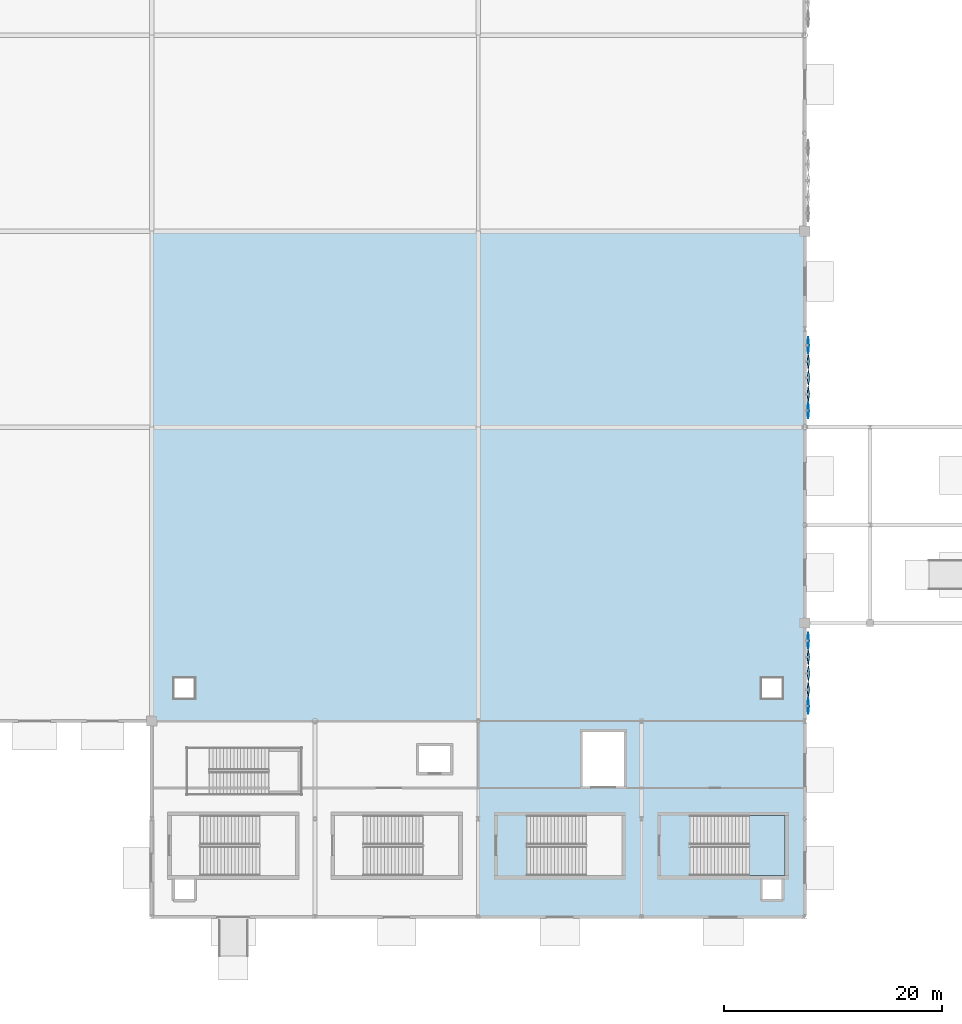
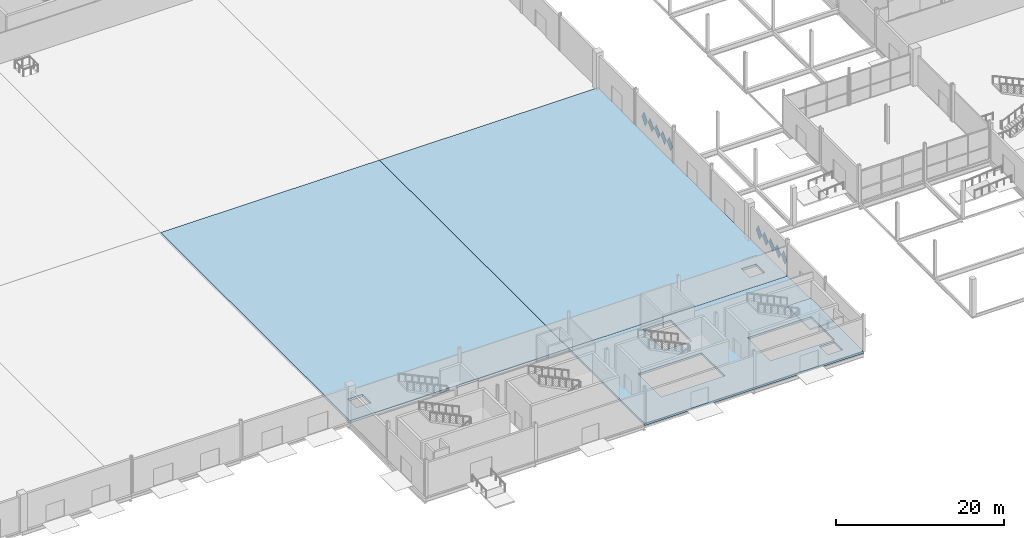
# One storey, part 44 of 94: 10 plates, 4 slabs, 1 element without a shape of its own.
"""IFC4 building model written with IfcOpenShell, lengths in metres."""

from ifc_helpers import new_model, si_unit, direction, frame, origin, place, context, subcontext, project, spatial, polyline, outline, extrude, material, layer, layer_set, type_object, element, aggregate, save


model = new_model("IFC4")

# Units and contexts
model_context = context("Model", 3, precision=1e-05, world=origin(), true_north=direction((0.0, 1.0)))
body_context = subcontext(model_context, "Body", "Model", "MODEL_VIEW")
ifc_project = project(units=[si_unit("LENGTHUNIT", "METRE"), si_unit("AREAUNIT", "SQUARE_METRE"), si_unit("VOLUMEUNIT", "CUBIC_METRE"), si_unit("PLANEANGLEUNIT", "RADIAN"), si_unit("MASSUNIT", "GRAM", prefix="KILO")], contexts=[model_context])

# Site, building, storey
site_placement = place(None, origin())
site = spatial("IfcSite", under=ifc_project, at=site_placement, CompositionType="ELEMENT")
building_placement = place(site_placement, origin())
building = spatial("IfcBuilding", under=site, at=building_placement, Name="Qamarlyn Nura Convention Centre", CompositionType="ELEMENT")
storey_placement = place(building_placement, origin())
storey = spatial("IfcBuildingStorey", under=building, at=storey_placement, Name="L00", CompositionType="ELEMENT", Elevation=0.0)

# Plates
ifc_material_1 = material(Name="White high-albedo PVDF aluminium composite sheet", Category="aluminium")
ifc_layer_1 = layer(ifc_material_1, 0.02392578125, Name="FP-DIAM-03")
ifc_layer_set_1 = layer_set([ifc_layer_1], Name="White high-albedo PVDF aluminium composite sheet")
plate_type_1 = type_object("IfcPlateType", Name="FP-DIAM-03", PredefinedType="SHEET", material=ifc_layer_set_1)
for number, where, z_axis, x_axis, name in (
    (1, (120.31005859375, 25.36865234375, 1.699951171875), (0.998059468659, 0.0, 0.062267945373), (0.0, 1.0, 0.0), "L00 pivoted white diamond facade tile 0022"),
    (2, (120.31005859375, 19.36865234375, 1.699951171875), (0.998059468659, 0.0, 0.062267945373), (0.0, 1.0, 0.0), "L00 pivoted white diamond facade tile 0026"),
    (3, (120.31005859375, 52.520751953125, 1.699951171875), (0.998059468659, 0.0, 0.062267945373), (0.0, 1.0, 0.0), "L00 pivoted white diamond facade tile 0027"),
    (4, (120.31005859375, 46.520751953125, 1.699951171875), (0.998059468659, 0.0, 0.062267945373), (0.0, 1.0, 0.0), "L00 pivoted white diamond facade tile 0031"),
):
    element("IfcPlate", number, at=place(storey_placement, frame(where, z_axis=z_axis, x_axis=x_axis)), inside=storey, type_object=plate_type_1, Name=name, PredefinedType="SHEET", context=body_context, shape_type="SweptSolid", body=[
        extrude(outline(polyline([(-0.719970703125, 0.0), (0.0, -1.050048828125), (0.719970703125, 0.0), (0.0, 1.050048828125), (-0.719970703125, 0.0)])), origin(), (0.0, 0.0, 1.0), 0.02392578125),
    ])
ifc_layer_2 = layer(ifc_material_1, 0.0380859375, Name="FP-DIAM-07")
ifc_layer_set_2 = layer_set([ifc_layer_2], Name="White high-albedo PVDF aluminium composite sheet")
plate_type_2 = type_object("IfcPlateType", Name="FP-DIAM-07", PredefinedType="SHEET", material=ifc_layer_set_2)
for number, where, z_axis, x_axis, name in (
    (5, (120.31005859375, 23.86865234375, 1.699951171875), (0.99271534578, 0.0, 0.120483369194), (0.0, 1.0, 0.0), "L00 pivoted white diamond facade tile 0023"),
    (6, (120.31005859375, 20.86865234375, 1.699951171875), (0.99271534578, 0.0, 0.120483369194), (0.0, 1.0, 0.0), "L00 pivoted white diamond facade tile 0025"),
    (7, (120.31005859375, 51.020751953125, 1.699951171875), (0.99271534578, 0.0, 0.120483369194), (0.0, 1.0, 0.0), "L00 pivoted white diamond facade tile 0028"),
    (8, (120.31005859375, 48.020751953125, 1.699951171875), (0.99271534578, 0.0, 0.120483369194), (0.0, 1.0, 0.0), "L00 pivoted white diamond facade tile 0030"),
):
    element("IfcPlate", number, at=place(storey_placement, frame(where, z_axis=z_axis, x_axis=x_axis)), inside=storey, type_object=plate_type_2, Name=name, PredefinedType="SHEET", context=body_context, shape_type="SweptSolid", body=[
        extrude(outline(polyline([(-0.719970703125, 0.0), (0.0, -1.050048828125), (0.719970703125, 0.0), (0.0, 1.050048828125), (-0.719970703125, 0.0)])), origin(), (0.0, 0.0, 1.0), 0.0380859375),
    ])
ifc_layer_3 = layer(ifc_material_1, 0.0439453125, Name="FP-DIAM-08")
ifc_layer_set_3 = layer_set([ifc_layer_3], Name="White high-albedo PVDF aluminium composite sheet")
plate_type_3 = type_object("IfcPlateType", Name="FP-DIAM-08", PredefinedType="SHEET", material=ifc_layer_set_3)
for number, where, z_axis, x_axis, name in (
    (9, (120.31005859375, 22.36865234375, 1.699951171875), (0.989776230908, 0.0, 0.142628933706), (0.0, 1.0, 0.0), "L00 pivoted white diamond facade tile 0024"),
    (10, (120.31005859375, 49.520751953125, 1.699951171875), (0.989776230908, 0.0, 0.142628933706), (0.0, 1.0, 0.0), "L00 pivoted white diamond facade tile 0029"),
):
    element("IfcPlate", number, at=place(storey_placement, frame(where, z_axis=z_axis, x_axis=x_axis)), inside=storey, type_object=plate_type_3, Name=name, PredefinedType="SHEET", context=body_context, shape_type="SweptSolid", body=[
        extrude(outline(polyline([(-0.719970703125, 0.0), (0.0, -1.050048828125), (0.719970703125, 0.0), (0.0, 1.050048828125), (-0.719970703125, 0.0)])), origin(), (0.0, 0.0, 1.0), 0.0439453125),
    ])

# Slabs
ifc_material_2 = material(Name="Concrete C40/50", Category="concrete")
ifc_layer_4 = layer(ifc_material_2, 0.300048828125, Name="SL-L00")
ifc_layer_set_4 = layer_set([ifc_layer_4], Name="Concrete C40/50")
slab_type_1 = type_object("IfcSlabType", Name="SL-L00", PredefinedType="FLOOR", material=ifc_layer_set_4)
slab_1_placement = place(storey_placement, frame((0.0, 0.0, -0.300048828125)))
element("IfcSlab", 11, at=slab_1_placement, inside=storey, type_object=slab_type_1, Name="L00 floor slab L00-SF2", PredefinedType="FLOOR", context=body_context, shape_type="SweptSolid", body=[
    extrude(outline(polyline([(90.0, 18.0), (120.0, 18.0), (120.0, 0.0), (90.0, 0.0), (90.0, 18.0)]), holes=[polyline([(116.0, 3.5), (116.0, 1.5), (118.0, 1.5), (118.0, 3.5), (116.0, 3.5)]), polyline([(109.4599609375, 3.800048828125), (118.199951171875, 3.800048828125), (118.199951171875, 9.300048828125), (109.4599609375, 9.300048828125), (109.4599609375, 3.800048828125)]), polyline([(94.4599609375, 3.800048828125), (103.199951171875, 3.800048828125), (103.199951171875, 9.300048828125), (94.4599609375, 9.300048828125), (94.4599609375, 3.800048828125)]), polyline([(103.39990234375, 12.0), (103.39990234375, 17.0), (99.60009765625, 17.0), (99.60009765625, 12.0), (103.39990234375, 12.0)])]), origin(), (0.0, 0.0, 1.0), 0.300048828125),
])
ifc_layer_5 = layer(ifc_material_2, 0.35009765625, Name="SL-L00-EX")
ifc_layer_set_5 = layer_set([ifc_layer_5], Name="Concrete C40/50")
slab_type_2 = type_object("IfcSlabType", Name="SL-L00-EX", PredefinedType="FLOOR", material=ifc_layer_set_5)
slab_2_placement = place(storey_placement, frame((0.0, 0.0, -0.35009765625)))
element("IfcSlab", 12, at=slab_2_placement, inside=storey, type_object=slab_type_2, Name="L00 floor slab L00-EX5", PredefinedType="FLOOR", context=body_context, shape_type="SweptSolid", body=[
    extrude(outline(polyline([(60.0, 63.0), (90.0, 63.0), (90.0, 18.0), (60.0, 18.0), (60.0, 63.0)]), holes=[polyline([(62.0, 22.0), (62.0, 20.0), (64.0, 20.0), (64.0, 22.0), (62.0, 22.0)])]), origin(), (0.0, 0.0, 1.0), 0.35009765625),
])
slab_3_placement = place(storey_placement, frame((0.0, 0.0, -0.35009765625)))
element("IfcSlab", 13, at=slab_3_placement, inside=storey, type_object=slab_type_2, Name="L00 floor slab L00-EX7", PredefinedType="FLOOR", context=body_context, shape_type="SweptSolid", body=[
    extrude(outline(polyline([(90.0, 63.0), (120.0, 63.0), (120.0, 18.0), (90.0, 18.0), (90.0, 63.0)]), holes=[polyline([(116.0, 22.0), (116.0, 20.0), (118.0, 20.0), (118.0, 22.0), (116.0, 22.0)])]), origin(), (0.0, 0.0, 1.0), 0.35009765625),
])

# Stair, slab
stair_type = type_object("IfcStairType", Name="STAIR-EXIT-54", PredefinedType="HALF_TURN_STAIR", material=ifc_material_2)
stair_placement = place(storey_placement, origin())
stair = element("IfcStair", 14, at=stair_placement, inside=storey, type_object=stair_type, Name="L00 Enclosed exit stair ST-08", PredefinedType="HALF_TURN_STAIR")
ifc_layer_6 = layer(ifc_material_2, 0.199951171875, Name="SL-LAND-200")
ifc_layer_set_6 = layer_set([ifc_layer_6], Name="Concrete C40/50")
slab_type_3 = type_object("IfcSlabType", Name="SL-LAND-200", PredefinedType="LANDING", material=ifc_layer_set_6)
slab_4_placement = place(storey_placement, frame((0.0, 0.0, 2.5)))
slab_4 = element("IfcSlab", 15, at=slab_4_placement, type_object=slab_type_3, Name="ST-08 landing 1", PredefinedType="LANDING", context=body_context, shape_type="SweptSolid", body=[
    extrude(outline(polyline([(114.89990234375, 3.800048828125), (118.199951171875, 3.800048828125), (118.199951171875, 9.300048828125), (114.89990234375, 9.300048828125), (114.89990234375, 3.800048828125)])), origin(), (0.0, 0.0, 1.0), 0.199951171875),
])
aggregate(stair, [slab_4])

save(model, "model.ifc")
